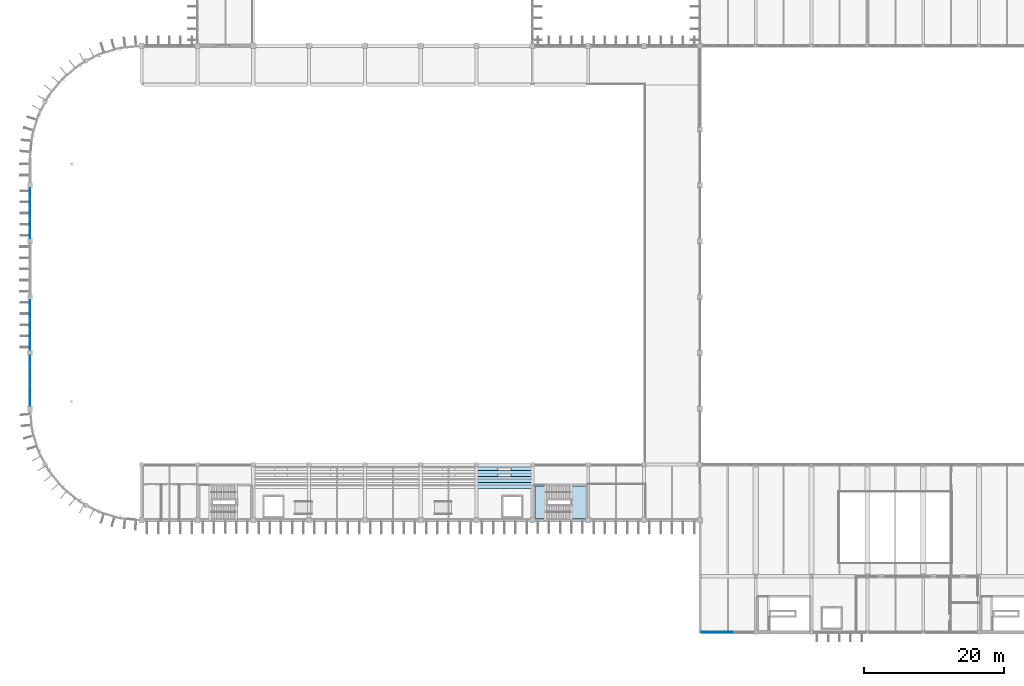
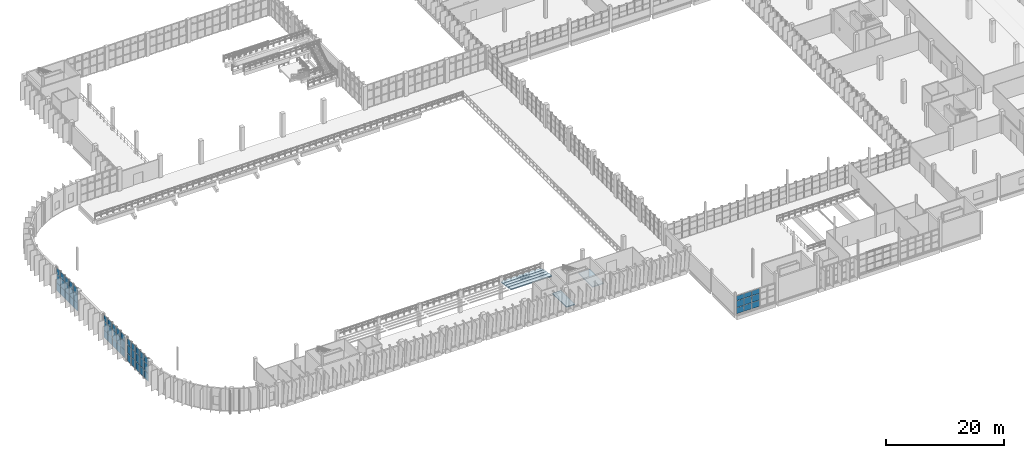
# One storey, part 51 of 93: 54 plates, 6 slabs, 5 elements without a shape of their own.
"""IFC4 building model written with IfcOpenShell, lengths in metres."""

from ifc_helpers import new_model, si_unit, direction, frame, origin, origin_2d, place, context, subcontext, project, spatial, polyline, rectangle, outline, extrude, material, layer, layer_set, type_object, element, aggregate, save


model = new_model("IFC4")

# Units and contexts
model_context = context("Model", 3, precision=1e-05, world=origin(), true_north=direction((0.0, 1.0)))
body_context = subcontext(model_context, "Body", "Model", "MODEL_VIEW")
ifc_project = project(units=[si_unit("LENGTHUNIT", "METRE"), si_unit("AREAUNIT", "SQUARE_METRE"), si_unit("VOLUMEUNIT", "CUBIC_METRE"), si_unit("PLANEANGLEUNIT", "RADIAN"), si_unit("MASSUNIT", "GRAM", prefix="KILO")], contexts=[model_context])

# Site, building, storey
site_placement = place(None, origin())
site = spatial("IfcSite", under=ifc_project, at=site_placement, CompositionType="ELEMENT")
building_placement = place(site_placement, origin())
building = spatial("IfcBuilding", under=site, at=building_placement, Name="Drelvana Railside Aquatics Centre", CompositionType="ELEMENT")
storey_placement = place(building_placement, frame((0.0, 0.0, 5.39990234375)))
storey = spatial("IfcBuildingStorey", under=building, at=storey_placement, Name="L01", CompositionType="ELEMENT", Elevation=5.39990234375)

# Curtain wall, plates
ifc_material_1 = material(Name="Bronze-anodised aluminium curtain wall", Category="aluminium")
ifc_layer_1 = layer(ifc_material_1, 0.179931640625, Name="Bronze-anodised aluminium curtain wall")
ifc_layer_set_1 = layer_set([ifc_layer_1], Name="Bronze-anodised aluminium curtain wall")
curtain_wall_type_1 = type_object("IfcCurtainWallType", Name="CW-Z2-CLER", PredefinedType="NOTDEFINED", material=ifc_layer_set_1)
curtain_wall_1_placement = place(storey_placement, origin())
curtain_wall_1 = element("IfcCurtainWall", 1, at=curtain_wall_1_placement, inside=storey, type_object=curtain_wall_type_1, Name="Curtain wall CW-02-042", PredefinedType="NOTDEFINED")
ifc_material_2 = material(Name="Double-glazed low-e solar-control glass", Category="glass")
ifc_layer_2 = layer(ifc_material_2, 0.028076171875, Name="Double-glazed low-e solar-control glass")
ifc_layer_set_2 = layer_set([ifc_layer_2], Name="Double-glazed low-e solar-control glass")
plate_type_1 = type_object("IfcPlateType", Name="CW-Z2-CLER-PAN", PredefinedType="CURTAIN_PANEL", material=ifc_layer_set_2)
plate_1_placement = place(storey_placement, frame((0.0, 33.11279296875, 0.05419921875), z_axis=(0.0, 0.0, 1.0), x_axis=(0.0, 1.0, 0.0)))
plate_1 = element("IfcPlate", 2, at=plate_1_placement, type_object=plate_type_1, Name="CW-02 panel 1.1", PredefinedType="CURTAIN_PANEL", context=body_context, shape_type="SweptSolid", body=[
    extrude(rectangle(XDim=1.357421875, YDim=0.028076171875, at=origin_2d()), origin(), (0.0, 0.0, 1.0), 1.591552734375),
])
plate_2_placement = place(storey_placement, frame((0.0, 33.11279296875, 1.70068359375), z_axis=(0.0, 0.0, 1.0), x_axis=(0.0, 1.0, 0.0)))
plate_2 = element("IfcPlate", 3, at=plate_2_placement, type_object=plate_type_1, Name="CW-02 panel 1.2", PredefinedType="CURTAIN_PANEL", context=body_context, shape_type="SweptSolid", body=[
    extrude(rectangle(XDim=1.357421875, YDim=0.028076171875, at=origin_2d()), origin(), (0.0, 0.0, 1.0), 1.718994140625),
])
plate_3_placement = place(storey_placement, frame((0.0, 33.11279296875, 3.474609375), z_axis=(0.0, 0.0, 1.0), x_axis=(0.0, 1.0, 0.0)))
plate_3 = element("IfcPlate", 4, at=plate_3_placement, type_object=plate_type_1, Name="CW-02 panel 1.3", PredefinedType="CURTAIN_PANEL", context=body_context, shape_type="SweptSolid", body=[
    extrude(rectangle(XDim=1.357421875, YDim=0.028076171875, at=origin_2d()), origin(), (0.0, 0.0, 1.0), 1.255615234375),
])
plate_4_placement = place(storey_placement, frame((0.0, 34.547607421875, 0.05419921875), z_axis=(0.0, 0.0, 1.0), x_axis=(0.0, 1.0, 0.0)))
plate_4 = element("IfcPlate", 5, at=plate_4_placement, type_object=plate_type_1, Name="CW-02 panel 2.1", PredefinedType="CURTAIN_PANEL", context=body_context, shape_type="SweptSolid", body=[
    extrude(rectangle(XDim=1.392333984375, YDim=0.028076171875, at=origin_2d()), origin(), (0.0, 0.0, 1.0), 1.591552734375),
])
plate_5_placement = place(storey_placement, frame((0.0, 34.547607421875, 1.70068359375), z_axis=(0.0, 0.0, 1.0), x_axis=(0.0, 1.0, 0.0)))
plate_5 = element("IfcPlate", 6, at=plate_5_placement, type_object=plate_type_1, Name="CW-02 panel 2.2", PredefinedType="CURTAIN_PANEL", context=body_context, shape_type="SweptSolid", body=[
    extrude(rectangle(XDim=1.392333984375, YDim=0.028076171875, at=origin_2d()), origin(), (0.0, 0.0, 1.0), 1.718994140625),
])
plate_6_placement = place(storey_placement, frame((0.0, 34.547607421875, 3.474609375), z_axis=(0.0, 0.0, 1.0), x_axis=(0.0, 1.0, 0.0)))
plate_6 = element("IfcPlate", 7, at=plate_6_placement, type_object=plate_type_1, Name="CW-02 panel 2.3", PredefinedType="CURTAIN_PANEL", context=body_context, shape_type="SweptSolid", body=[
    extrude(rectangle(XDim=1.392333984375, YDim=0.028076171875, at=origin_2d()), origin(), (0.0, 0.0, 1.0), 1.255615234375),
])
plate_7_placement = place(storey_placement, frame((0.0, 36.0, 0.05419921875), z_axis=(0.0, 0.0, 1.0), x_axis=(0.0, 1.0, 0.0)))
plate_7 = element("IfcPlate", 8, at=plate_7_placement, type_object=plate_type_1, Name="CW-02 panel 3.1", PredefinedType="CURTAIN_PANEL", context=body_context, shape_type="SweptSolid", body=[
    extrude(rectangle(XDim=1.392333984375, YDim=0.028076171875, at=origin_2d()), origin(), (0.0, 0.0, 1.0), 1.591552734375),
])
plate_8_placement = place(storey_placement, frame((0.0, 36.0, 1.70068359375), z_axis=(0.0, 0.0, 1.0), x_axis=(0.0, 1.0, 0.0)))
plate_8 = element("IfcPlate", 9, at=plate_8_placement, type_object=plate_type_1, Name="CW-02 panel 3.2", PredefinedType="CURTAIN_PANEL", context=body_context, shape_type="SweptSolid", body=[
    extrude(rectangle(XDim=1.392333984375, YDim=0.028076171875, at=origin_2d()), origin(), (0.0, 0.0, 1.0), 1.718994140625),
])
plate_9_placement = place(storey_placement, frame((0.0, 36.0, 3.474609375), z_axis=(0.0, 0.0, 1.0), x_axis=(0.0, 1.0, 0.0)))
plate_9 = element("IfcPlate", 10, at=plate_9_placement, type_object=plate_type_1, Name="CW-02 panel 3.3", PredefinedType="CURTAIN_PANEL", context=body_context, shape_type="SweptSolid", body=[
    extrude(rectangle(XDim=1.392333984375, YDim=0.028076171875, at=origin_2d()), origin(), (0.0, 0.0, 1.0), 1.255615234375),
])
plate_10_placement = place(storey_placement, frame((0.0, 37.452392578125, 0.05419921875), z_axis=(0.0, 0.0, 1.0), x_axis=(0.0, 1.0, 0.0)))
plate_10 = element("IfcPlate", 11, at=plate_10_placement, type_object=plate_type_1, Name="CW-02 panel 4.1", PredefinedType="CURTAIN_PANEL", context=body_context, shape_type="SweptSolid", body=[
    extrude(rectangle(XDim=1.392333984375, YDim=0.028076171875, at=origin_2d()), origin(), (0.0, 0.0, 1.0), 1.591552734375),
])
plate_11_placement = place(storey_placement, frame((0.0, 37.452392578125, 1.70068359375), z_axis=(0.0, 0.0, 1.0), x_axis=(0.0, 1.0, 0.0)))
plate_11 = element("IfcPlate", 12, at=plate_11_placement, type_object=plate_type_1, Name="CW-02 panel 4.2", PredefinedType="CURTAIN_PANEL", context=body_context, shape_type="SweptSolid", body=[
    extrude(rectangle(XDim=1.392333984375, YDim=0.028076171875, at=origin_2d()), origin(), (0.0, 0.0, 1.0), 1.718994140625),
])
plate_12_placement = place(storey_placement, frame((0.0, 37.452392578125, 3.474609375), z_axis=(0.0, 0.0, 1.0), x_axis=(0.0, 1.0, 0.0)))
plate_12 = element("IfcPlate", 13, at=plate_12_placement, type_object=plate_type_1, Name="CW-02 panel 4.3", PredefinedType="CURTAIN_PANEL", context=body_context, shape_type="SweptSolid", body=[
    extrude(rectangle(XDim=1.392333984375, YDim=0.028076171875, at=origin_2d()), origin(), (0.0, 0.0, 1.0), 1.255615234375),
])
plate_13_placement = place(storey_placement, frame((0.0, 38.88720703125, 0.05419921875), z_axis=(0.0, 0.0, 1.0), x_axis=(0.0, 1.0, 0.0)))
plate_13 = element("IfcPlate", 14, at=plate_13_placement, type_object=plate_type_1, Name="CW-02 panel 5.1", PredefinedType="CURTAIN_PANEL", context=body_context, shape_type="SweptSolid", body=[
    extrude(rectangle(XDim=1.357421875, YDim=0.028076171875, at=origin_2d()), origin(), (0.0, 0.0, 1.0), 1.591552734375),
])
plate_14_placement = place(storey_placement, frame((0.0, 38.88720703125, 1.70068359375), z_axis=(0.0, 0.0, 1.0), x_axis=(0.0, 1.0, 0.0)))
plate_14 = element("IfcPlate", 15, at=plate_14_placement, type_object=plate_type_1, Name="CW-02 panel 5.2", PredefinedType="CURTAIN_PANEL", context=body_context, shape_type="SweptSolid", body=[
    extrude(rectangle(XDim=1.357421875, YDim=0.028076171875, at=origin_2d()), origin(), (0.0, 0.0, 1.0), 1.718994140625),
])
plate_15_placement = place(storey_placement, frame((0.0, 38.88720703125, 3.474609375), z_axis=(0.0, 0.0, 1.0), x_axis=(0.0, 1.0, 0.0)))
plate_15 = element("IfcPlate", 16, at=plate_15_placement, type_object=plate_type_1, Name="CW-02 panel 5.3", PredefinedType="CURTAIN_PANEL", context=body_context, shape_type="SweptSolid", body=[
    extrude(rectangle(XDim=1.357421875, YDim=0.028076171875, at=origin_2d()), origin(), (0.0, 0.0, 1.0), 1.255615234375),
])
aggregate(curtain_wall_1, [plate_1, plate_2, plate_3, plate_4, plate_5, plate_6, plate_7, plate_8, plate_9, plate_10, plate_11, plate_12, plate_13, plate_14, plate_15])

curtain_wall_2_placement = place(storey_placement, origin())
curtain_wall_2 = element("IfcCurtainWall", 17, at=curtain_wall_2_placement, inside=storey, type_object=curtain_wall_type_1, Name="Curtain wall CW-02-046", PredefinedType="NOTDEFINED")
plate_16_placement = place(storey_placement, frame((0.0, 41.11279296875, 0.05419921875), z_axis=(0.0, 0.0, 1.0), x_axis=(0.0, 1.0, 0.0)))
plate_16 = element("IfcPlate", 18, at=plate_16_placement, type_object=plate_type_1, Name="CW-02 panel 1.1", PredefinedType="CURTAIN_PANEL", context=body_context, shape_type="SweptSolid", body=[
    extrude(rectangle(XDim=1.357421875, YDim=0.028076171875, at=origin_2d()), origin(), (0.0, 0.0, 1.0), 1.591552734375),
])
plate_17_placement = place(storey_placement, frame((0.0, 41.11279296875, 1.70068359375), z_axis=(0.0, 0.0, 1.0), x_axis=(0.0, 1.0, 0.0)))
plate_17 = element("IfcPlate", 19, at=plate_17_placement, type_object=plate_type_1, Name="CW-02 panel 1.2", PredefinedType="CURTAIN_PANEL", context=body_context, shape_type="SweptSolid", body=[
    extrude(rectangle(XDim=1.357421875, YDim=0.028076171875, at=origin_2d()), origin(), (0.0, 0.0, 1.0), 1.718994140625),
])
plate_18_placement = place(storey_placement, frame((0.0, 41.11279296875, 3.474609375), z_axis=(0.0, 0.0, 1.0), x_axis=(0.0, 1.0, 0.0)))
plate_18 = element("IfcPlate", 20, at=plate_18_placement, type_object=plate_type_1, Name="CW-02 panel 1.3", PredefinedType="CURTAIN_PANEL", context=body_context, shape_type="SweptSolid", body=[
    extrude(rectangle(XDim=1.357421875, YDim=0.028076171875, at=origin_2d()), origin(), (0.0, 0.0, 1.0), 1.255615234375),
])
plate_19_placement = place(storey_placement, frame((0.0, 42.547607421875, 0.05419921875), z_axis=(0.0, 0.0, 1.0), x_axis=(0.0, 1.0, 0.0)))
plate_19 = element("IfcPlate", 21, at=plate_19_placement, type_object=plate_type_1, Name="CW-02 panel 2.1", PredefinedType="CURTAIN_PANEL", context=body_context, shape_type="SweptSolid", body=[
    extrude(rectangle(XDim=1.392333984375, YDim=0.028076171875, at=origin_2d()), origin(), (0.0, 0.0, 1.0), 1.591552734375),
])
plate_20_placement = place(storey_placement, frame((0.0, 42.547607421875, 1.70068359375), z_axis=(0.0, 0.0, 1.0), x_axis=(0.0, 1.0, 0.0)))
plate_20 = element("IfcPlate", 22, at=plate_20_placement, type_object=plate_type_1, Name="CW-02 panel 2.2", PredefinedType="CURTAIN_PANEL", context=body_context, shape_type="SweptSolid", body=[
    extrude(rectangle(XDim=1.392333984375, YDim=0.028076171875, at=origin_2d()), origin(), (0.0, 0.0, 1.0), 1.718994140625),
])
plate_21_placement = place(storey_placement, frame((0.0, 42.547607421875, 3.474609375), z_axis=(0.0, 0.0, 1.0), x_axis=(0.0, 1.0, 0.0)))
plate_21 = element("IfcPlate", 23, at=plate_21_placement, type_object=plate_type_1, Name="CW-02 panel 2.3", PredefinedType="CURTAIN_PANEL", context=body_context, shape_type="SweptSolid", body=[
    extrude(rectangle(XDim=1.392333984375, YDim=0.028076171875, at=origin_2d()), origin(), (0.0, 0.0, 1.0), 1.255615234375),
])
plate_22_placement = place(storey_placement, frame((0.0, 44.0, 0.05419921875), z_axis=(0.0, 0.0, 1.0), x_axis=(0.0, 1.0, 0.0)))
plate_22 = element("IfcPlate", 24, at=plate_22_placement, type_object=plate_type_1, Name="CW-02 panel 3.1", PredefinedType="CURTAIN_PANEL", context=body_context, shape_type="SweptSolid", body=[
    extrude(rectangle(XDim=1.392333984375, YDim=0.028076171875, at=origin_2d()), origin(), (0.0, 0.0, 1.0), 1.591552734375),
])
plate_23_placement = place(storey_placement, frame((0.0, 44.0, 1.70068359375), z_axis=(0.0, 0.0, 1.0), x_axis=(0.0, 1.0, 0.0)))
plate_23 = element("IfcPlate", 25, at=plate_23_placement, type_object=plate_type_1, Name="CW-02 panel 3.2", PredefinedType="CURTAIN_PANEL", context=body_context, shape_type="SweptSolid", body=[
    extrude(rectangle(XDim=1.392333984375, YDim=0.028076171875, at=origin_2d()), origin(), (0.0, 0.0, 1.0), 1.718994140625),
])
plate_24_placement = place(storey_placement, frame((0.0, 44.0, 3.474609375), z_axis=(0.0, 0.0, 1.0), x_axis=(0.0, 1.0, 0.0)))
plate_24 = element("IfcPlate", 26, at=plate_24_placement, type_object=plate_type_1, Name="CW-02 panel 3.3", PredefinedType="CURTAIN_PANEL", context=body_context, shape_type="SweptSolid", body=[
    extrude(rectangle(XDim=1.392333984375, YDim=0.028076171875, at=origin_2d()), origin(), (0.0, 0.0, 1.0), 1.255615234375),
])
plate_25_placement = place(storey_placement, frame((0.0, 45.452392578125, 0.05419921875), z_axis=(0.0, 0.0, 1.0), x_axis=(0.0, 1.0, 0.0)))
plate_25 = element("IfcPlate", 27, at=plate_25_placement, type_object=plate_type_1, Name="CW-02 panel 4.1", PredefinedType="CURTAIN_PANEL", context=body_context, shape_type="SweptSolid", body=[
    extrude(rectangle(XDim=1.392333984375, YDim=0.028076171875, at=origin_2d()), origin(), (0.0, 0.0, 1.0), 1.591552734375),
])
plate_26_placement = place(storey_placement, frame((0.0, 45.452392578125, 1.70068359375), z_axis=(0.0, 0.0, 1.0), x_axis=(0.0, 1.0, 0.0)))
plate_26 = element("IfcPlate", 28, at=plate_26_placement, type_object=plate_type_1, Name="CW-02 panel 4.2", PredefinedType="CURTAIN_PANEL", context=body_context, shape_type="SweptSolid", body=[
    extrude(rectangle(XDim=1.392333984375, YDim=0.028076171875, at=origin_2d()), origin(), (0.0, 0.0, 1.0), 1.718994140625),
])
plate_27_placement = place(storey_placement, frame((0.0, 45.452392578125, 3.474609375), z_axis=(0.0, 0.0, 1.0), x_axis=(0.0, 1.0, 0.0)))
plate_27 = element("IfcPlate", 29, at=plate_27_placement, type_object=plate_type_1, Name="CW-02 panel 4.3", PredefinedType="CURTAIN_PANEL", context=body_context, shape_type="SweptSolid", body=[
    extrude(rectangle(XDim=1.392333984375, YDim=0.028076171875, at=origin_2d()), origin(), (0.0, 0.0, 1.0), 1.255615234375),
])
plate_28_placement = place(storey_placement, frame((0.0, 46.88720703125, 0.05419921875), z_axis=(0.0, 0.0, 1.0), x_axis=(0.0, 1.0, 0.0)))
plate_28 = element("IfcPlate", 30, at=plate_28_placement, type_object=plate_type_1, Name="CW-02 panel 5.1", PredefinedType="CURTAIN_PANEL", context=body_context, shape_type="SweptSolid", body=[
    extrude(rectangle(XDim=1.357421875, YDim=0.028076171875, at=origin_2d()), origin(), (0.0, 0.0, 1.0), 1.591552734375),
])
plate_29_placement = place(storey_placement, frame((0.0, 46.88720703125, 1.70068359375), z_axis=(0.0, 0.0, 1.0), x_axis=(0.0, 1.0, 0.0)))
plate_29 = element("IfcPlate", 31, at=plate_29_placement, type_object=plate_type_1, Name="CW-02 panel 5.2", PredefinedType="CURTAIN_PANEL", context=body_context, shape_type="SweptSolid", body=[
    extrude(rectangle(XDim=1.357421875, YDim=0.028076171875, at=origin_2d()), origin(), (0.0, 0.0, 1.0), 1.718994140625),
])
plate_30_placement = place(storey_placement, frame((0.0, 46.88720703125, 3.474609375), z_axis=(0.0, 0.0, 1.0), x_axis=(0.0, 1.0, 0.0)))
plate_30 = element("IfcPlate", 32, at=plate_30_placement, type_object=plate_type_1, Name="CW-02 panel 5.3", PredefinedType="CURTAIN_PANEL", context=body_context, shape_type="SweptSolid", body=[
    extrude(rectangle(XDim=1.357421875, YDim=0.028076171875, at=origin_2d()), origin(), (0.0, 0.0, 1.0), 1.255615234375),
])
aggregate(curtain_wall_2, [plate_16, plate_17, plate_18, plate_19, plate_20, plate_21, plate_22, plate_23, plate_24, plate_25, plate_26, plate_27, plate_28, plate_29, plate_30])

curtain_wall_3_placement = place(storey_placement, origin())
curtain_wall_3 = element("IfcCurtainWall", 33, at=curtain_wall_3_placement, inside=storey, type_object=curtain_wall_type_1, Name="Curtain wall CW-02-051", PredefinedType="NOTDEFINED")
plate_31_placement = place(storey_placement, frame((0.0, 57.11279296875, 0.05419921875), z_axis=(0.0, 0.0, 1.0), x_axis=(0.0, 1.0, 0.0)))
plate_31 = element("IfcPlate", 34, at=plate_31_placement, type_object=plate_type_1, Name="CW-02 panel 1.1", PredefinedType="CURTAIN_PANEL", context=body_context, shape_type="SweptSolid", body=[
    extrude(rectangle(XDim=1.357421875, YDim=0.028076171875, at=origin_2d()), origin(), (0.0, 0.0, 1.0), 1.591552734375),
])
plate_32_placement = place(storey_placement, frame((0.0, 57.11279296875, 1.70068359375), z_axis=(0.0, 0.0, 1.0), x_axis=(0.0, 1.0, 0.0)))
plate_32 = element("IfcPlate", 35, at=plate_32_placement, type_object=plate_type_1, Name="CW-02 panel 1.2", PredefinedType="CURTAIN_PANEL", context=body_context, shape_type="SweptSolid", body=[
    extrude(rectangle(XDim=1.357421875, YDim=0.028076171875, at=origin_2d()), origin(), (0.0, 0.0, 1.0), 1.718994140625),
])
plate_33_placement = place(storey_placement, frame((0.0, 57.11279296875, 3.474609375), z_axis=(0.0, 0.0, 1.0), x_axis=(0.0, 1.0, 0.0)))
plate_33 = element("IfcPlate", 36, at=plate_33_placement, type_object=plate_type_1, Name="CW-02 panel 1.3", PredefinedType="CURTAIN_PANEL", context=body_context, shape_type="SweptSolid", body=[
    extrude(rectangle(XDim=1.357421875, YDim=0.028076171875, at=origin_2d()), origin(), (0.0, 0.0, 1.0), 1.255615234375),
])
plate_34_placement = place(storey_placement, frame((0.0, 58.547607421875, 0.05419921875), z_axis=(0.0, 0.0, 1.0), x_axis=(0.0, 1.0, 0.0)))
plate_34 = element("IfcPlate", 37, at=plate_34_placement, type_object=plate_type_1, Name="CW-02 panel 2.1", PredefinedType="CURTAIN_PANEL", context=body_context, shape_type="SweptSolid", body=[
    extrude(rectangle(XDim=1.392333984375, YDim=0.028076171875, at=origin_2d()), origin(), (0.0, 0.0, 1.0), 1.591552734375),
])
plate_35_placement = place(storey_placement, frame((0.0, 58.547607421875, 1.70068359375), z_axis=(0.0, 0.0, 1.0), x_axis=(0.0, 1.0, 0.0)))
plate_35 = element("IfcPlate", 38, at=plate_35_placement, type_object=plate_type_1, Name="CW-02 panel 2.2", PredefinedType="CURTAIN_PANEL", context=body_context, shape_type="SweptSolid", body=[
    extrude(rectangle(XDim=1.392333984375, YDim=0.028076171875, at=origin_2d()), origin(), (0.0, 0.0, 1.0), 1.718994140625),
])
plate_36_placement = place(storey_placement, frame((0.0, 58.547607421875, 3.474609375), z_axis=(0.0, 0.0, 1.0), x_axis=(0.0, 1.0, 0.0)))
plate_36 = element("IfcPlate", 39, at=plate_36_placement, type_object=plate_type_1, Name="CW-02 panel 2.3", PredefinedType="CURTAIN_PANEL", context=body_context, shape_type="SweptSolid", body=[
    extrude(rectangle(XDim=1.392333984375, YDim=0.028076171875, at=origin_2d()), origin(), (0.0, 0.0, 1.0), 1.255615234375),
])
plate_37_placement = place(storey_placement, frame((0.0, 60.0, 0.05419921875), z_axis=(0.0, 0.0, 1.0), x_axis=(0.0, 1.0, 0.0)))
plate_37 = element("IfcPlate", 40, at=plate_37_placement, type_object=plate_type_1, Name="CW-02 panel 3.1", PredefinedType="CURTAIN_PANEL", context=body_context, shape_type="SweptSolid", body=[
    extrude(rectangle(XDim=1.392333984375, YDim=0.028076171875, at=origin_2d()), origin(), (0.0, 0.0, 1.0), 1.591552734375),
])
plate_38_placement = place(storey_placement, frame((0.0, 60.0, 1.70068359375), z_axis=(0.0, 0.0, 1.0), x_axis=(0.0, 1.0, 0.0)))
plate_38 = element("IfcPlate", 41, at=plate_38_placement, type_object=plate_type_1, Name="CW-02 panel 3.2", PredefinedType="CURTAIN_PANEL", context=body_context, shape_type="SweptSolid", body=[
    extrude(rectangle(XDim=1.392333984375, YDim=0.028076171875, at=origin_2d()), origin(), (0.0, 0.0, 1.0), 1.718994140625),
])
plate_39_placement = place(storey_placement, frame((0.0, 60.0, 3.474609375), z_axis=(0.0, 0.0, 1.0), x_axis=(0.0, 1.0, 0.0)))
plate_39 = element("IfcPlate", 42, at=plate_39_placement, type_object=plate_type_1, Name="CW-02 panel 3.3", PredefinedType="CURTAIN_PANEL", context=body_context, shape_type="SweptSolid", body=[
    extrude(rectangle(XDim=1.392333984375, YDim=0.028076171875, at=origin_2d()), origin(), (0.0, 0.0, 1.0), 1.255615234375),
])
plate_40_placement = place(storey_placement, frame((0.0, 61.452392578125, 0.05419921875), z_axis=(0.0, 0.0, 1.0), x_axis=(0.0, 1.0, 0.0)))
plate_40 = element("IfcPlate", 43, at=plate_40_placement, type_object=plate_type_1, Name="CW-02 panel 4.1", PredefinedType="CURTAIN_PANEL", context=body_context, shape_type="SweptSolid", body=[
    extrude(rectangle(XDim=1.392333984375, YDim=0.028076171875, at=origin_2d()), origin(), (0.0, 0.0, 1.0), 1.591552734375),
])
plate_41_placement = place(storey_placement, frame((0.0, 61.452392578125, 1.70068359375), z_axis=(0.0, 0.0, 1.0), x_axis=(0.0, 1.0, 0.0)))
plate_41 = element("IfcPlate", 44, at=plate_41_placement, type_object=plate_type_1, Name="CW-02 panel 4.2", PredefinedType="CURTAIN_PANEL", context=body_context, shape_type="SweptSolid", body=[
    extrude(rectangle(XDim=1.392333984375, YDim=0.028076171875, at=origin_2d()), origin(), (0.0, 0.0, 1.0), 1.718994140625),
])
plate_42_placement = place(storey_placement, frame((0.0, 61.452392578125, 3.474609375), z_axis=(0.0, 0.0, 1.0), x_axis=(0.0, 1.0, 0.0)))
plate_42 = element("IfcPlate", 45, at=plate_42_placement, type_object=plate_type_1, Name="CW-02 panel 4.3", PredefinedType="CURTAIN_PANEL", context=body_context, shape_type="SweptSolid", body=[
    extrude(rectangle(XDim=1.392333984375, YDim=0.028076171875, at=origin_2d()), origin(), (0.0, 0.0, 1.0), 1.255615234375),
])
plate_43_placement = place(storey_placement, frame((0.0, 62.88720703125, 0.05419921875), z_axis=(0.0, 0.0, 1.0), x_axis=(0.0, 1.0, 0.0)))
plate_43 = element("IfcPlate", 46, at=plate_43_placement, type_object=plate_type_1, Name="CW-02 panel 5.1", PredefinedType="CURTAIN_PANEL", context=body_context, shape_type="SweptSolid", body=[
    extrude(rectangle(XDim=1.357421875, YDim=0.028076171875, at=origin_2d()), origin(), (0.0, 0.0, 1.0), 1.591552734375),
])
plate_44_placement = place(storey_placement, frame((0.0, 62.88720703125, 1.70068359375), z_axis=(0.0, 0.0, 1.0), x_axis=(0.0, 1.0, 0.0)))
plate_44 = element("IfcPlate", 47, at=plate_44_placement, type_object=plate_type_1, Name="CW-02 panel 5.2", PredefinedType="CURTAIN_PANEL", context=body_context, shape_type="SweptSolid", body=[
    extrude(rectangle(XDim=1.357421875, YDim=0.028076171875, at=origin_2d()), origin(), (0.0, 0.0, 1.0), 1.718994140625),
])
plate_45_placement = place(storey_placement, frame((0.0, 62.88720703125, 3.474609375), z_axis=(0.0, 0.0, 1.0), x_axis=(0.0, 1.0, 0.0)))
plate_45 = element("IfcPlate", 48, at=plate_45_placement, type_object=plate_type_1, Name="CW-02 panel 5.3", PredefinedType="CURTAIN_PANEL", context=body_context, shape_type="SweptSolid", body=[
    extrude(rectangle(XDim=1.357421875, YDim=0.028076171875, at=origin_2d()), origin(), (0.0, 0.0, 1.0), 1.255615234375),
])
aggregate(curtain_wall_3, [plate_31, plate_32, plate_33, plate_34, plate_35, plate_36, plate_37, plate_38, plate_39, plate_40, plate_41, plate_42, plate_43, plate_44, plate_45])

ifc_layer_3 = layer(ifc_material_1, 0.18994140625, Name="Bronze-anodised aluminium curtain wall")
ifc_layer_set_3 = layer_set([ifc_layer_3], Name="Bronze-anodised aluminium curtain wall")
curtain_wall_type_2 = type_object("IfcCurtainWallType", Name="CW-Z4-FOYER", PredefinedType="NOTDEFINED", material=ifc_layer_set_3)
curtain_wall_4_placement = place(storey_placement, origin())
curtain_wall_4 = element("IfcCurtainWall", 49, at=curtain_wall_4_placement, inside=storey, type_object=curtain_wall_type_2, Name="Curtain wall CW-04-099", PredefinedType="NOTDEFINED")
ifc_layer_4 = layer(ifc_material_2, 0.030029296875, Name="Double-glazed low-e solar-control glass")
ifc_layer_set_4 = layer_set([ifc_layer_4], Name="Double-glazed low-e solar-control glass")
plate_type_2 = type_object("IfcPlateType", Name="CW-Z4-FOYER-PAN", PredefinedType="CURTAIN_PANEL", material=ifc_layer_set_4)
plate_46_placement = place(storey_placement, frame((96.9150390625, 0.0, 0.05419921875), z_axis=(0.0, 0.0, 1.0), x_axis=(1.0, 0.0, 0.0)))
plate_46 = element("IfcPlate", 50, at=plate_46_placement, type_object=plate_type_2, Name="CW-04 panel 1.1", PredefinedType="CURTAIN_PANEL", context=body_context, shape_type="SweptSolid", body=[
    extrude(rectangle(XDim=1.44189453125, YDim=0.030029296875, at=origin_2d()), origin(), (0.0, 0.0, 1.0), 1.244384765625),
])
plate_47_placement = place(storey_placement, frame((96.9150390625, 0.0, 1.353515625), z_axis=(0.0, 0.0, 1.0), x_axis=(1.0, 0.0, 0.0)))
plate_47 = element("IfcPlate", 51, at=plate_47_placement, type_object=plate_type_2, Name="CW-04 panel 1.2", PredefinedType="CURTAIN_PANEL", context=body_context, shape_type="SweptSolid", body=[
    extrude(rectangle(XDim=1.44189453125, YDim=0.030029296875, at=origin_2d()), origin(), (0.0, 0.0, 1.0), 1.35302734375),
])
plate_48_placement = place(storey_placement, frame((96.9150390625, 0.0, 2.761474609375), z_axis=(0.0, 0.0, 1.0), x_axis=(1.0, 0.0, 0.0)))
plate_48 = element("IfcPlate", 52, at=plate_48_placement, type_object=plate_type_2, Name="CW-04 panel 1.3", PredefinedType="CURTAIN_PANEL", context=body_context, shape_type="SweptSolid", body=[
    extrude(rectangle(XDim=1.44189453125, YDim=0.030029296875, at=origin_2d()), origin(), (0.0, 0.0, 1.0), 0.978515625),
])
plate_49_placement = place(storey_placement, frame((98.427978515625, 0.0, 0.05419921875), z_axis=(0.0, 0.0, 1.0), x_axis=(1.0, 0.0, 0.0)))
plate_49 = element("IfcPlate", 53, at=plate_49_placement, type_object=plate_type_2, Name="CW-04 panel 2.1", PredefinedType="CURTAIN_PANEL", context=body_context, shape_type="SweptSolid", body=[
    extrude(rectangle(XDim=1.474365234375, YDim=0.030029296875, at=origin_2d()), origin(), (0.0, 0.0, 1.0), 1.244384765625),
])
plate_50_placement = place(storey_placement, frame((98.427978515625, 0.0, 1.353515625), z_axis=(0.0, 0.0, 1.0), x_axis=(1.0, 0.0, 0.0)))
plate_50 = element("IfcPlate", 54, at=plate_50_placement, type_object=plate_type_2, Name="CW-04 panel 2.2", PredefinedType="CURTAIN_PANEL", context=body_context, shape_type="SweptSolid", body=[
    extrude(rectangle(XDim=1.474365234375, YDim=0.030029296875, at=origin_2d()), origin(), (0.0, 0.0, 1.0), 1.35302734375),
])
plate_51_placement = place(storey_placement, frame((98.427978515625, 0.0, 2.761474609375), z_axis=(0.0, 0.0, 1.0), x_axis=(1.0, 0.0, 0.0)))
plate_51 = element("IfcPlate", 55, at=plate_51_placement, type_object=plate_type_2, Name="CW-04 panel 2.3", PredefinedType="CURTAIN_PANEL", context=body_context, shape_type="SweptSolid", body=[
    extrude(rectangle(XDim=1.474365234375, YDim=0.030029296875, at=origin_2d()), origin(), (0.0, 0.0, 1.0), 0.978515625),
])
plate_52_placement = place(storey_placement, frame((99.95751953125, 0.0, 0.05419921875), z_axis=(0.0, 0.0, 1.0), x_axis=(1.0, 0.0, 0.0)))
plate_52 = element("IfcPlate", 56, at=plate_52_placement, type_object=plate_type_2, Name="CW-04 panel 3.1", PredefinedType="CURTAIN_PANEL", context=body_context, shape_type="SweptSolid", body=[
    extrude(rectangle(XDim=1.474365234375, YDim=0.030029296875, at=origin_2d()), origin(), (0.0, 0.0, 1.0), 1.244384765625),
])
plate_53_placement = place(storey_placement, frame((99.95751953125, 0.0, 1.353515625), z_axis=(0.0, 0.0, 1.0), x_axis=(1.0, 0.0, 0.0)))
plate_53 = element("IfcPlate", 57, at=plate_53_placement, type_object=plate_type_2, Name="CW-04 panel 3.2", PredefinedType="CURTAIN_PANEL", context=body_context, shape_type="SweptSolid", body=[
    extrude(rectangle(XDim=1.474365234375, YDim=0.030029296875, at=origin_2d()), origin(), (0.0, 0.0, 1.0), 1.35302734375),
])
plate_54_placement = place(storey_placement, frame((99.95751953125, 0.0, 2.761474609375), z_axis=(0.0, 0.0, 1.0), x_axis=(1.0, 0.0, 0.0)))
plate_54 = element("IfcPlate", 58, at=plate_54_placement, type_object=plate_type_2, Name="CW-04 panel 3.3", PredefinedType="CURTAIN_PANEL", context=body_context, shape_type="SweptSolid", body=[
    extrude(rectangle(XDim=1.474365234375, YDim=0.030029296875, at=origin_2d()), origin(), (0.0, 0.0, 1.0), 0.978515625),
])
aggregate(curtain_wall_4, [plate_46, plate_47, plate_48, plate_49, plate_50, plate_51, plate_52, plate_53, plate_54])

# Slab
ifc_material_3 = material(Name="Concrete C40/50", Category="concrete")
ifc_layer_5 = layer(ifc_material_3, 0.199951171875, Name="Concrete C40/50")
ifc_layer_set_5 = layer_set([ifc_layer_5], Name="Concrete C40/50")
slab_type_1 = type_object("IfcSlabType", Name="SL-LAND-200", PredefinedType="LANDING", material=ifc_layer_set_5)
slab_1_placement = place(storey_placement, frame((0.0, 0.0, -0.199951171875)))
element("IfcSlab", 59, at=slab_1_placement, inside=storey, type_object=slab_type_1, Name="Stair ST-02 L01 floor landing", PredefinedType="LANDING", context=body_context, shape_type="SweptSolid", body=[
    extrude(outline(polyline([(72.35009765625, 16.25), (74.030029296875, 16.25), (74.030029296875, 20.949951171875), (72.35009765625, 20.949951171875), (72.35009765625, 16.25)])), origin(), (0.0, 0.0, 1.0), 0.199951171875),
])

# Stair, slab
stair_type = type_object("IfcStairType", Name="ST-CORE-TYP", PredefinedType="HALF_TURN_STAIR", material=ifc_material_3)
stair_placement = place(storey_placement, origin())
stair = element("IfcStair", 60, at=stair_placement, inside=storey, type_object=stair_type, Name="Exit stair ST-02 (L01 to L02)", PredefinedType="HALF_TURN_STAIR")
slab_2_placement = place(storey_placement, frame((0.0, 0.0, 2.2001953125)))
slab_2 = element("IfcSlab", 61, at=slab_2_placement, type_object=slab_type_1, Name="ST-TP landing 1", PredefinedType="LANDING", context=body_context, shape_type="SweptSolid", body=[
    extrude(outline(polyline([(77.409912109375, 16.25), (79.64990234375, 16.25), (79.64990234375, 20.949951171875), (77.409912109375, 20.949951171875), (77.409912109375, 16.25)])), origin(), (0.0, 0.0, 1.0), 0.199951171875),
])
aggregate(stair, [slab_2])

# Slabs
ifc_material_4 = material(Name="Precast concrete C40/50", Category="concrete")
ifc_layer_6 = layer(ifc_material_4, 0.205078125, Name="Precast concrete C40/50")
ifc_layer_set_6 = layer_set([ifc_layer_6], Name="Precast concrete C40/50")
slab_type_2 = type_object("IfcSlabType", Name="SL-TIER-205", PredefinedType="USERDEFINED", material=ifc_layer_set_6)
slab_3_placement = place(storey_placement, frame((0.0, 0.0, 3.29931640625)))
element("IfcSlab", 62, at=slab_3_placement, inside=storey, type_object=slab_type_2, Name="Stand Upper Tier Vomitory Bay 5 Row 1", ObjectType="SEATING TIER", PredefinedType="USERDEFINED", context=body_context, shape_type="SweptSolid", body=[
    extrude(outline(polyline([(64.0, 23.14990234375), (67.10009765625, 23.14990234375), (67.10009765625, 23.530029296875), (68.89990234375, 23.530029296875), (68.89990234375, 23.14990234375), (72.0, 23.14990234375), (72.0, 24.0), (64.0, 24.0), (64.0, 23.14990234375)])), origin(), (0.0, 0.0, 1.0), 0.204833984375),
])
slab_4_placement = place(storey_placement, frame((0.0, 0.0, 3.437255859375)))
element("IfcSlab", 63, at=slab_4_placement, inside=storey, type_object=slab_type_2, Name="Stand Upper Tier Vomitory Bay 5 Row 2", ObjectType="SEATING TIER", PredefinedType="USERDEFINED", context=body_context, shape_type="SweptSolid", body=[
    extrude(outline(polyline([(64.0, 22.300048828125), (67.10009765625, 22.300048828125), (67.10009765625, 22.679931640625), (68.89990234375, 22.679931640625), (68.89990234375, 22.300048828125), (72.0, 22.300048828125), (72.0, 23.14990234375), (64.0, 23.14990234375), (64.0, 22.300048828125)])), origin(), (0.0, 0.0, 1.0), 0.205078125),
])
slab_5_placement = place(storey_placement, frame((0.0, 0.0, 3.575439453125)))
element("IfcSlab", 64, at=slab_5_placement, inside=storey, type_object=slab_type_2, Name="Stand Upper Tier Bay 5 Row 3", ObjectType="SEATING TIER", PredefinedType="USERDEFINED", context=body_context, shape_type="SweptSolid", body=[
    extrude(outline(polyline([(64.0, 21.449951171875), (72.0, 21.449951171875), (72.0, 22.300048828125), (64.0, 22.300048828125), (64.0, 21.449951171875)])), origin(), (0.0, 0.0, 1.0), 0.205078125),
])
slab_6_placement = place(storey_placement, frame((0.0, 0.0, 3.71337890625)))
element("IfcSlab", 65, at=slab_6_placement, inside=storey, type_object=slab_type_2, Name="Stand Upper Tier Bay 5 Row 4", ObjectType="SEATING TIER", PredefinedType="USERDEFINED", context=body_context, shape_type="SweptSolid", body=[
    extrude(outline(polyline([(64.0, 20.60009765625), (72.0, 20.60009765625), (72.0, 21.449951171875), (64.0, 21.449951171875), (64.0, 20.60009765625)])), origin(), (0.0, 0.0, 1.0), 0.205078125),
])

save(model, "model.ifc")
